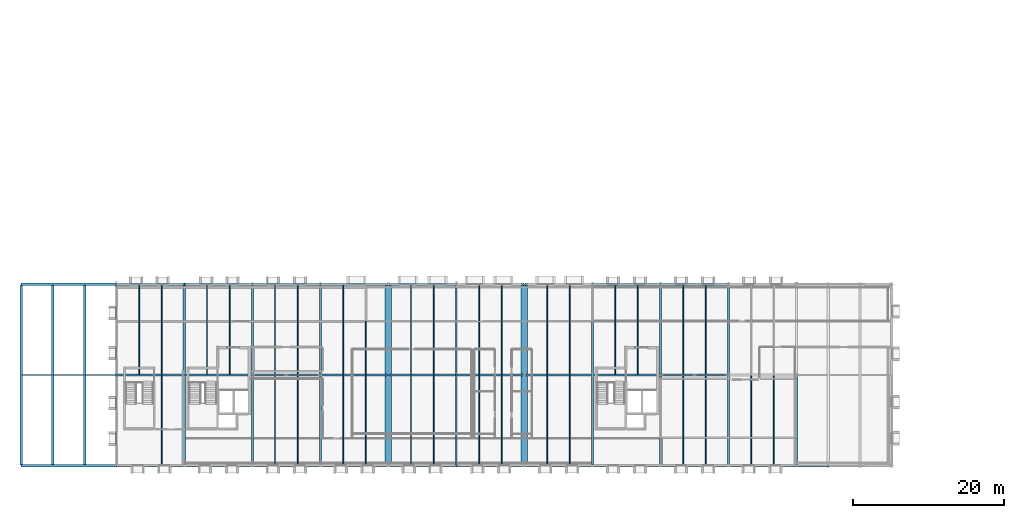
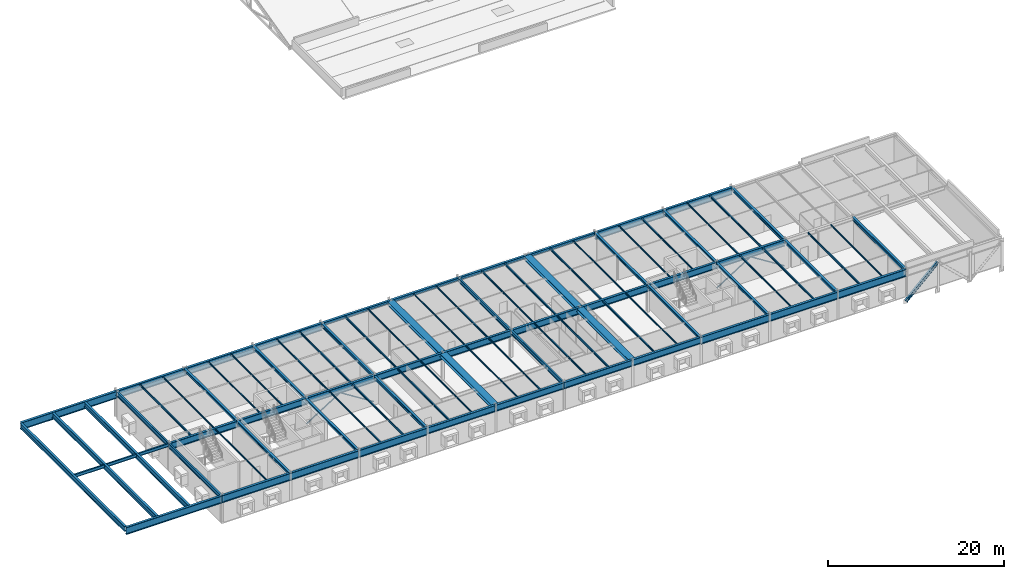
# One storey, part 5 of 36: 90 beams, 5 members.
"""IFC4 building model written with IfcOpenShell, lengths in metres."""

from ifc_helpers import new_model, si_unit, direction, frame, origin, origin_2d, place, context, subcontext, project, spatial, hollow_circle, i_section, extrude, material, material_profile, profile_set, type_object, element, save


model = new_model("IFC4")

# Units and contexts
model_context = context("Model", 3, precision=1e-05, world=origin(), true_north=direction((0.0, 1.0)))
body_context = subcontext(model_context, "Body", "Model", "MODEL_VIEW")
ifc_project = project(units=[si_unit("LENGTHUNIT", "METRE"), si_unit("AREAUNIT", "SQUARE_METRE"), si_unit("VOLUMEUNIT", "CUBIC_METRE"), si_unit("PLANEANGLEUNIT", "RADIAN"), si_unit("MASSUNIT", "GRAM", prefix="KILO")], contexts=[model_context])

# Site, building, storey
site_placement = place(None, origin())
site = spatial("IfcSite", under=ifc_project, at=site_placement, CompositionType="ELEMENT")
building_placement = place(site_placement, origin())
building = spatial("IfcBuilding", under=site, at=building_placement, Name="Montelvaro Courts of Justice", CompositionType="ELEMENT")
storey_placement = place(building_placement, frame((0.0, 0.0, 23.39990234375)))
storey = spatial("IfcBuildingStorey", under=building, at=storey_placement, Name="L05", CompositionType="ELEMENT", Elevation=23.39990234375)

# Beams
ifc_material = material(Name="Steel S355", Category="steel")
ifc_material_profile_1 = material_profile(ifc_material, i_section(OverallWidth=0.300048828125, OverallDepth=0.35009765625, WebThickness=0.010009765625, FlangeThickness=0.017578125, at=origin_2d()), Name="HEA 360")
ifc_profile_set_1 = profile_set([ifc_material_profile_1], Name="Steel S355")
beam_type_1 = type_object("IfcBeamType", Name="Beam_HEA360", PredefinedType="USERDEFINED", material=ifc_profile_set_1)
for number, where, z_axis, x_axis, name in (
    (1, (54.0, 0.0, 3.585205078125), (0.0, 1.0, 0.0), (-1.0, 0.0, 0.0), "Beam B-16 L05"),
    (2, (54.0, 12.0, 3.585205078125), (0.0, 1.0, 0.0), (-1.0, 0.0, 0.0), "Beam B-16 L05"),
    (3, (108.0, 0.0, 3.585205078125), (0.0, 1.0, 0.0), (-1.0, 0.0, 0.0), "Beam B-16 L05"),
    (4, (108.0, 12.0, 3.585205078125), (0.0, 1.0, 0.0), (-1.0, 0.0, 0.0), "Beam B-16 L05"),
):
    element("IfcBeam", number, at=place(storey_placement, frame(where, z_axis=z_axis, x_axis=x_axis)), inside=storey, type_object=beam_type_1, Name=name, ObjectType="GIRDER", PredefinedType="USERDEFINED", context=body_context, shape_type="SweptSolid", body=[
        extrude(i_section(OverallWidth=0.300048828125, OverallDepth=0.35009765625, WebThickness=0.010009765625, FlangeThickness=0.017578125, at=origin_2d()), origin(), (0.0, 0.0, 1.0), 12.0),
    ])
ifc_material_profile_2 = material_profile(ifc_material, i_section(OverallWidth=0.300048828125, OverallDepth=0.389892578125, WebThickness=0.010986328125, FlangeThickness=0.01904296875, at=origin_2d()), Name="HEA 400")
ifc_profile_set_2 = profile_set([ifc_material_profile_2], Name="Steel S355")
beam_type_2 = type_object("IfcBeamType", Name="Beam_HEA400", PredefinedType="USERDEFINED", material=ifc_profile_set_2)
for number, where, z_axis, x_axis, name in (
    (5, (63.0, 0.0, 3.565185546875), (0.0, 1.0, 0.0), (-1.0, 0.0, 0.0), "Beam B-17 L05"),
    (6, (63.0, 12.0, 3.565185546875), (0.0, 1.0, 0.0), (-1.0, 0.0, 0.0), "Beam B-17 L05"),
    (7, (117.0, 0.0, 3.565185546875), (0.0, 1.0, 0.0), (-1.0, 0.0, 0.0), "Beam B-17 L05"),
    (8, (117.0, 12.0, 3.565185546875), (0.0, 1.0, 0.0), (-1.0, 0.0, 0.0), "Beam B-17 L05"),
):
    element("IfcBeam", number, at=place(storey_placement, frame(where, z_axis=z_axis, x_axis=x_axis)), inside=storey, type_object=beam_type_2, Name=name, ObjectType="GIRDER", PredefinedType="USERDEFINED", context=body_context, shape_type="SweptSolid", body=[
        extrude(i_section(OverallWidth=0.300048828125, OverallDepth=0.389892578125, WebThickness=0.010986328125, FlangeThickness=0.01904296875, at=origin_2d()), origin(), (0.0, 0.0, 1.0), 12.0),
    ])
ifc_material_profile_3 = material_profile(ifc_material, i_section(OverallWidth=0.300048828125, OverallDepth=0.43994140625, WebThickness=0.011474609375, FlangeThickness=0.02099609375, at=origin_2d()), Name="HEA 450")
ifc_profile_set_3 = profile_set([ifc_material_profile_3], Name="Steel S355")
beam_type_3 = type_object("IfcBeamType", Name="Beam_HEA450", PredefinedType="USERDEFINED", material=ifc_profile_set_3)
for number, where, z_axis, x_axis, name in (
    (9, (72.0, 24.0, 3.5400390625), (1.0, 0.0, 0.0), (0.0, 1.0, 0.0), "Beam B-18 L05"),
    (10, (81.050048828125, 24.0, 3.5400390625), (1.0, 0.0, 0.0), (0.0, 1.0, 0.0), "Beam B-18 L05"),
    (11, (90.0, 24.0, 3.5400390625), (1.0, 0.0, 0.0), (0.0, 1.0, 0.0), "Beam B-18 L05"),
    (12, (99.050048828125, 24.0, 3.5400390625), (1.0, 0.0, 0.0), (0.0, 1.0, 0.0), "Beam B-18 L05"),
):
    element("IfcBeam", number, at=place(storey_placement, frame(where, z_axis=z_axis, x_axis=x_axis)), inside=storey, type_object=beam_type_3, Name=name, ObjectType="GIRDER", PredefinedType="USERDEFINED", context=body_context, shape_type="SweptSolid", body=[
        extrude(i_section(OverallWidth=0.300048828125, OverallDepth=0.43994140625, WebThickness=0.011474609375, FlangeThickness=0.02099609375, at=origin_2d()), origin(), (0.0, 0.0, 1.0), 8.949951171875),
    ])
for number, where, z_axis, x_axis, name in (
    (13, (72.0, 0.0, 3.5400390625), (0.0, 1.0, 0.0), (-1.0, 0.0, 0.0), "Beam B-18 L05"),
    (14, (72.0, 12.0, 3.5400390625), (0.0, 1.0, 0.0), (-1.0, 0.0, 0.0), "Beam B-18 L05"),
    (15, (126.0, 0.0, 3.5400390625), (0.0, 1.0, 0.0), (-1.0, 0.0, 0.0), "Beam B-18 L05"),
    (16, (126.0, 12.0, 3.5400390625), (0.0, 1.0, 0.0), (-1.0, 0.0, 0.0), "Beam B-18 L05"),
):
    element("IfcBeam", number, at=place(storey_placement, frame(where, z_axis=z_axis, x_axis=x_axis)), inside=storey, type_object=beam_type_3, Name=name, ObjectType="GIRDER", PredefinedType="USERDEFINED", context=body_context, shape_type="SweptSolid", body=[
        extrude(i_section(OverallWidth=0.300048828125, OverallDepth=0.43994140625, WebThickness=0.011474609375, FlangeThickness=0.02099609375, at=origin_2d()), origin(), (0.0, 0.0, 1.0), 12.0),
    ])
ifc_material_profile_4 = material_profile(ifc_material, i_section(OverallWidth=0.300048828125, OverallDepth=0.489990234375, WebThickness=0.011962890625, FlangeThickness=0.02294921875, at=origin_2d()), Name="HEA 500")
ifc_profile_set_4 = profile_set([ifc_material_profile_4], Name="Steel S355")
beam_type_4 = type_object("IfcBeamType", Name="Beam_HEA500", PredefinedType="USERDEFINED", material=ifc_profile_set_4)
beam_1_placement = place(storey_placement, frame((135.0, 0.0, 3.53515625), z_axis=(0.0, 1.0, 0.0), x_axis=(-1.0, 0.0, 0.0)))
element("IfcBeam", 17, at=beam_1_placement, inside=storey, type_object=beam_type_4, Name="Beam B-19 L05", ObjectType="GIRDER", PredefinedType="USERDEFINED", context=body_context, shape_type="SweptSolid", body=[
    extrude(i_section(OverallWidth=0.300048828125, OverallDepth=0.489990234375, WebThickness=0.011962890625, FlangeThickness=0.02294921875, at=origin_2d()), origin(), (0.0, 0.0, 1.0), 12.0),
])
ifc_material_profile_5 = material_profile(ifc_material, i_section(OverallWidth=0.300048828125, OverallDepth=0.699951171875, WebThickness=0.01708984375, FlangeThickness=0.031982421875, at=origin_2d()), Name="HEB 700")
ifc_profile_set_5 = profile_set([ifc_material_profile_5], Name="Steel S355")
beam_type_5 = type_object("IfcBeamType", Name="Beam_HEB700", PredefinedType="USERDEFINED", material=ifc_profile_set_5)
for number, where, z_axis, x_axis, name in (
    (18, (40.800048828125, 0.110107421875, 3.41015625), (0.0, 1.0, 0.0), (-1.0, 0.0, 0.0), "Beam B-28 L05"),
    (19, (36.60009765625, 0.110107421875, 3.41015625), (0.0, 1.0, 0.0), (-1.0, 0.0, 0.0), "Beam B-28 L05"),
    (20, (32.39990234375, 0.110107421875, 3.41015625), (0.0, 1.0, 0.0), (-1.0, 0.0, 0.0), "Beam B-28 L05"),
):
    element("IfcBeam", number, at=place(storey_placement, frame(where, z_axis=z_axis, x_axis=x_axis)), inside=storey, type_object=beam_type_5, Name=name, ObjectType="GIRDER", PredefinedType="USERDEFINED", context=body_context, shape_type="SweptSolid", body=[
        extrude(i_section(OverallWidth=0.300048828125, OverallDepth=0.699951171875, WebThickness=0.01708984375, FlangeThickness=0.031982421875, at=origin_2d()), origin(), (0.0, 0.0, 1.0), 23.77978515625),
    ])
ifc_material_profile_6 = material_profile(ifc_material, i_section(OverallWidth=0.300048828125, OverallDepth=0.89990234375, WebThickness=0.0185546875, FlangeThickness=0.034912109375, at=origin_2d()), Name="HEB 900")
ifc_profile_set_6 = profile_set([ifc_material_profile_6], Name="Steel S355")
beam_type_6 = type_object("IfcBeamType", Name="Beam_HEB900", PredefinedType="USERDEFINED", material=ifc_profile_set_6)
for number, where, z_axis, x_axis, name in (
    (21, (72.0, 0.0, 3.31005859375), (1.0, 0.0, 0.0), (0.0, 1.0, 0.0), "Beam B-30 L05"),
    (22, (81.050048828125, 0.0, 3.31005859375), (1.0, 0.0, 0.0), (0.0, 1.0, 0.0), "Beam B-30 L05"),
    (23, (90.0, 0.0, 3.31005859375), (1.0, 0.0, 0.0), (0.0, 1.0, 0.0), "Beam B-30 L05"),
    (24, (99.050048828125, 0.0, 3.31005859375), (1.0, 0.0, 0.0), (0.0, 1.0, 0.0), "Beam B-30 L05"),
):
    element("IfcBeam", number, at=place(storey_placement, frame(where, z_axis=z_axis, x_axis=x_axis)), inside=storey, type_object=beam_type_6, Name=name, ObjectType="GIRDER", PredefinedType="USERDEFINED", context=body_context, shape_type="SweptSolid", body=[
        extrude(i_section(OverallWidth=0.300048828125, OverallDepth=0.89990234375, WebThickness=0.0185546875, FlangeThickness=0.034912109375, at=origin_2d()), origin(), (0.0, 0.0, 1.0), 8.949951171875),
    ])
ifc_material_profile_7 = material_profile(ifc_material, i_section(OverallWidth=0.302001953125, OverallDepth=1.008056640625, WebThickness=0.02099609375, FlangeThickness=0.0400390625, at=origin_2d()), Name="HEM 1000")
ifc_profile_set_7 = profile_set([ifc_material_profile_7], Name="Steel S355")
beam_type_7 = type_object("IfcBeamType", Name="Beam_HEM1000", PredefinedType="USERDEFINED", material=ifc_profile_set_7)
for number, where, z_axis, x_axis, name in (
    (25, (108.0, 0.0, 3.256103515625), (1.0, 0.0, 0.0), (0.0, 1.0, 0.0), "Pratt Cantilever Truss Chord CTR-BAR2-S-L06-BS1"),
    (26, (117.0, 0.0, 3.256103515625), (1.0, 0.0, 0.0), (0.0, 1.0, 0.0), "Pratt Cantilever Truss Chord CTR-BAR2-S-L06-BS2"),
    (27, (126.0, 0.0, 3.256103515625), (1.0, 0.0, 0.0), (0.0, 1.0, 0.0), "Pratt Cantilever Truss Chord CTR-BAR2-S-L06-BS3"),
    (28, (108.0, 24.0, 3.256103515625), (1.0, 0.0, 0.0), (0.0, 1.0, 0.0), "Pratt Cantilever Truss Chord CTR-BAR2-N-L06-BS1"),
    (29, (117.0, 24.0, 3.256103515625), (1.0, 0.0, 0.0), (0.0, 1.0, 0.0), "Pratt Cantilever Truss Chord CTR-BAR2-N-L06-BS2"),
    (30, (72.0, 0.0, 3.256103515625), (-1.0, 0.0, 0.0), (0.0, -1.0, 0.0), "Pratt Cantilever Truss Chord CTR-BAR3-S-L06-BS1"),
    (31, (63.0, 0.0, 3.256103515625), (-1.0, 0.0, 0.0), (0.0, -1.0, 0.0), "Pratt Cantilever Truss Chord CTR-BAR3-S-L06-BS2"),
    (32, (54.0, 0.0, 3.256103515625), (-1.0, 0.0, 0.0), (0.0, -1.0, 0.0), "Pratt Cantilever Truss Chord CTR-BAR3-S-L06-BS3"),
):
    element("IfcBeam", number, at=place(storey_placement, frame(where, z_axis=z_axis, x_axis=x_axis)), inside=storey, type_object=beam_type_7, Name=name, ObjectType="GIRDER", PredefinedType="USERDEFINED", context=body_context, shape_type="SweptSolid", body=[
        extrude(i_section(OverallWidth=0.302001953125, OverallDepth=1.008056640625, WebThickness=0.02099609375, FlangeThickness=0.0400390625, at=origin_2d()), origin(), (0.0, 0.0, 1.0), 9.0),
    ])
beam_2_placement = place(storey_placement, frame((45.0, 0.0, 3.256103515625), z_axis=(-1.0, 0.0, 0.0), x_axis=(0.0, -1.0, 0.0)))
element("IfcBeam", 33, at=beam_2_placement, inside=storey, type_object=beam_type_7, Name="Pratt Cantilever Truss Chord CTR-BAR3-S-L06-OVH", ObjectType="GIRDER", PredefinedType="USERDEFINED", context=body_context, shape_type="SweptSolid", body=[
    extrude(i_section(OverallWidth=0.302001953125, OverallDepth=1.008056640625, WebThickness=0.02099609375, FlangeThickness=0.0400390625, at=origin_2d()), origin(), (0.0, 0.0, 1.0), 12.60009765625),
])
for number, where, z_axis, x_axis, name in (
    (34, (72.0, 24.0, 3.256103515625), (-1.0, 0.0, 0.0), (0.0, -1.0, 0.0), "Pratt Cantilever Truss Chord CTR-BAR3-N-L06-BS1"),
    (35, (63.0, 24.0, 3.256103515625), (-1.0, 0.0, 0.0), (0.0, -1.0, 0.0), "Pratt Cantilever Truss Chord CTR-BAR3-N-L06-BS2"),
    (36, (54.0, 24.0, 3.256103515625), (-1.0, 0.0, 0.0), (0.0, -1.0, 0.0), "Pratt Cantilever Truss Chord CTR-BAR3-N-L06-BS3"),
):
    element("IfcBeam", number, at=place(storey_placement, frame(where, z_axis=z_axis, x_axis=x_axis)), inside=storey, type_object=beam_type_7, Name=name, ObjectType="GIRDER", PredefinedType="USERDEFINED", context=body_context, shape_type="SweptSolid", body=[
        extrude(i_section(OverallWidth=0.302001953125, OverallDepth=1.008056640625, WebThickness=0.02099609375, FlangeThickness=0.0400390625, at=origin_2d()), origin(), (0.0, 0.0, 1.0), 9.0),
    ])
beam_3_placement = place(storey_placement, frame((45.0, 24.0, 3.256103515625), z_axis=(-1.0, 0.0, 0.0), x_axis=(0.0, -1.0, 0.0)))
element("IfcBeam", 37, at=beam_3_placement, inside=storey, type_object=beam_type_7, Name="Pratt Cantilever Truss Chord CTR-BAR3-N-L06-OVH", ObjectType="GIRDER", PredefinedType="USERDEFINED", context=body_context, shape_type="SweptSolid", body=[
    extrude(i_section(OverallWidth=0.302001953125, OverallDepth=1.008056640625, WebThickness=0.02099609375, FlangeThickness=0.0400390625, at=origin_2d()), origin(), (0.0, 0.0, 1.0), 12.60009765625),
])
ifc_material_profile_8 = material_profile(ifc_material, i_section(OverallWidth=0.302001953125, OverallDepth=0.909912109375, WebThickness=0.02099609375, FlangeThickness=0.0400390625, at=origin_2d()), Name="HEM 900")
ifc_profile_set_8 = profile_set([ifc_material_profile_8], Name="Steel S355")
beam_type_8 = type_object("IfcBeamType", Name="Beam_HEM900", PredefinedType="USERDEFINED", material=ifc_profile_set_8)
for number, where, z_axis, x_axis, name in (
    (38, (45.0, 12.0, 3.30517578125), (1.0, 0.0, 0.0), (0.0, 1.0, 0.0), "Beam B-31 L05"),
    (39, (54.0, 12.0, 3.30517578125), (1.0, 0.0, 0.0), (0.0, 1.0, 0.0), "Beam B-31 L05"),
    (40, (63.0, 12.0, 3.30517578125), (1.0, 0.0, 0.0), (0.0, 1.0, 0.0), "Beam B-31 L05"),
):
    element("IfcBeam", number, at=place(storey_placement, frame(where, z_axis=z_axis, x_axis=x_axis)), inside=storey, type_object=beam_type_8, Name=name, ObjectType="GIRDER", PredefinedType="USERDEFINED", context=body_context, shape_type="SweptSolid", body=[
        extrude(i_section(OverallWidth=0.302001953125, OverallDepth=0.909912109375, WebThickness=0.02099609375, FlangeThickness=0.0400390625, at=origin_2d()), origin(), (0.0, 0.0, 1.0), 9.0),
    ])
for number, where, z_axis, x_axis, name in (
    (41, (72.0, 12.0, 3.30517578125), (1.0, 0.0, 0.0), (0.0, 1.0, 0.0), "Beam B-31 L05"),
    (42, (81.050048828125, 12.0, 3.30517578125), (1.0, 0.0, 0.0), (0.0, 1.0, 0.0), "Beam B-31 L05"),
    (43, (90.0, 12.0, 3.30517578125), (1.0, 0.0, 0.0), (0.0, 1.0, 0.0), "Beam B-31 L05"),
    (44, (99.050048828125, 12.0, 3.30517578125), (1.0, 0.0, 0.0), (0.0, 1.0, 0.0), "Beam B-31 L05"),
):
    element("IfcBeam", number, at=place(storey_placement, frame(where, z_axis=z_axis, x_axis=x_axis)), inside=storey, type_object=beam_type_8, Name=name, ObjectType="GIRDER", PredefinedType="USERDEFINED", context=body_context, shape_type="SweptSolid", body=[
        extrude(i_section(OverallWidth=0.302001953125, OverallDepth=0.909912109375, WebThickness=0.02099609375, FlangeThickness=0.0400390625, at=origin_2d()), origin(), (0.0, 0.0, 1.0), 8.949951171875),
    ])
for number, where, z_axis, x_axis, name in (
    (45, (108.0, 12.0, 3.30517578125), (1.0, 0.0, 0.0), (0.0, 1.0, 0.0), "Beam B-31 L05"),
    (46, (117.0, 12.0, 3.30517578125), (1.0, 0.0, 0.0), (0.0, 1.0, 0.0), "Beam B-31 L05"),
):
    element("IfcBeam", number, at=place(storey_placement, frame(where, z_axis=z_axis, x_axis=x_axis)), inside=storey, type_object=beam_type_8, Name=name, ObjectType="GIRDER", PredefinedType="USERDEFINED", context=body_context, shape_type="SweptSolid", body=[
        extrude(i_section(OverallWidth=0.302001953125, OverallDepth=0.909912109375, WebThickness=0.02099609375, FlangeThickness=0.0400390625, at=origin_2d()), origin(), (0.0, 0.0, 1.0), 9.0),
    ])
ifc_material_profile_9 = material_profile(ifc_material, i_section(OverallWidth=0.10009765625, OverallDepth=0.199951171875, WebThickness=0.005615234375, FlangeThickness=0.008544921875, at=origin_2d()), Name="IPE 200")
ifc_profile_set_9 = profile_set([ifc_material_profile_9], Name="Steel S355")
beam_type_9 = type_object("IfcBeamType", Name="Beam_IPE200", PredefinedType="JOIST", material=ifc_profile_set_9)
for number, where, z_axis, x_axis, name in (
    (47, (51.0, 0.110107421875, 3.66015625), (0.0, 1.0, 0.0), (-1.0, 0.0, 0.0), "Beam B-01 L05"),
    (48, (51.0, 12.110107421875, 3.66015625), (0.0, 1.0, 0.0), (-1.0, 0.0, 0.0), "Beam B-01 L05"),
    (49, (57.0, 12.110107421875, 3.66015625), (0.0, 1.0, 0.0), (-1.0, 0.0, 0.0), "Beam B-01 L05"),
    (50, (78.0, 0.110107421875, 3.66015625), (0.0, 1.0, 0.0), (-1.0, 0.0, 0.0), "Beam B-01 L05"),
    (51, (78.0, 12.110107421875, 3.66015625), (0.0, 1.0, 0.0), (-1.0, 0.0, 0.0), "Beam B-01 L05"),
    (52, (84.0, 0.110107421875, 3.66015625), (0.0, 1.0, 0.0), (-1.0, 0.0, 0.0), "Beam B-01 L05"),
    (53, (84.0, 12.110107421875, 3.66015625), (0.0, 1.0, 0.0), (-1.0, 0.0, 0.0), "Beam B-01 L05"),
    (54, (105.0, 0.110107421875, 3.66015625), (0.0, 1.0, 0.0), (-1.0, 0.0, 0.0), "Beam B-01 L05"),
    (55, (105.0, 12.110107421875, 3.66015625), (0.0, 1.0, 0.0), (-1.0, 0.0, 0.0), "Beam B-01 L05"),
    (56, (111.0, 12.110107421875, 3.66015625), (0.0, 1.0, 0.0), (-1.0, 0.0, 0.0), "Beam B-01 L05"),
    (57, (132.0, 0.110107421875, 3.68017578125), (0.0, 1.0, 0.0), (-1.0, 0.0, 0.0), "Beam B-01 L05"),
):
    element("IfcBeam", number, at=place(storey_placement, frame(where, z_axis=z_axis, x_axis=x_axis)), inside=storey, type_object=beam_type_9, Name=name, PredefinedType="JOIST", context=body_context, shape_type="SweptSolid", body=[
        extrude(i_section(OverallWidth=0.10009765625, OverallDepth=0.199951171875, WebThickness=0.005615234375, FlangeThickness=0.008544921875, at=origin_2d()), origin(), (0.0, 0.0, 1.0), 11.77978515625),
    ])
ifc_material_profile_10 = material_profile(ifc_material, i_section(OverallWidth=0.110107421875, OverallDepth=0.219970703125, WebThickness=0.005859375, FlangeThickness=0.00927734375, at=origin_2d()), Name="IPE 220")
ifc_profile_set_10 = profile_set([ifc_material_profile_10], Name="Steel S355")
beam_type_10 = type_object("IfcBeamType", Name="Beam_IPE220", PredefinedType="JOIST", material=ifc_profile_set_10)
for number, where, z_axis, x_axis, name in (
    (58, (60.0, 12.110107421875, 3.650146484375), (0.0, 1.0, 0.0), (-1.0, 0.0, 0.0), "Beam B-02 L05"),
    (59, (66.0, 0.110107421875, 3.650146484375), (0.0, 1.0, 0.0), (-1.0, 0.0, 0.0), "Beam B-02 L05"),
    (60, (66.0, 12.110107421875, 3.650146484375), (0.0, 1.0, 0.0), (-1.0, 0.0, 0.0), "Beam B-02 L05"),
    (61, (87.0, 0.110107421875, 3.650146484375), (0.0, 1.0, 0.0), (-1.0, 0.0, 0.0), "Beam B-02 L05"),
    (62, (87.0, 12.110107421875, 3.650146484375), (0.0, 1.0, 0.0), (-1.0, 0.0, 0.0), "Beam B-02 L05"),
    (63, (93.0, 0.110107421875, 3.650146484375), (0.0, 1.0, 0.0), (-1.0, 0.0, 0.0), "Beam B-02 L05"),
    (64, (93.0, 12.110107421875, 3.650146484375), (0.0, 1.0, 0.0), (-1.0, 0.0, 0.0), "Beam B-02 L05"),
    (65, (114.0, 12.110107421875, 3.650146484375), (0.0, 1.0, 0.0), (-1.0, 0.0, 0.0), "Beam B-02 L05"),
    (66, (120.0, 0.110107421875, 3.650146484375), (0.0, 1.0, 0.0), (-1.0, 0.0, 0.0), "Beam B-02 L05"),
    (67, (120.0, 12.110107421875, 3.650146484375), (0.0, 1.0, 0.0), (-1.0, 0.0, 0.0), "Beam B-02 L05"),
):
    element("IfcBeam", number, at=place(storey_placement, frame(where, z_axis=z_axis, x_axis=x_axis)), inside=storey, type_object=beam_type_10, Name=name, PredefinedType="JOIST", context=body_context, shape_type="SweptSolid", body=[
        extrude(i_section(OverallWidth=0.110107421875, OverallDepth=0.219970703125, WebThickness=0.005859375, FlangeThickness=0.00927734375, at=origin_2d()), origin(), (0.0, 0.0, 1.0), 11.77978515625),
    ])
ifc_material_profile_11 = material_profile(ifc_material, i_section(OverallWidth=0.135009765625, OverallDepth=0.27001953125, WebThickness=0.006591796875, FlangeThickness=0.01025390625, at=origin_2d()), Name="IPE 270")
ifc_profile_set_11 = profile_set([ifc_material_profile_11], Name="Steel S355")
beam_type_11 = type_object("IfcBeamType", Name="Beam_IPE270", PredefinedType="JOIST", material=ifc_profile_set_11)
for number, where, z_axis, x_axis, name in (
    (68, (48.0, 12.110107421875, 3.625), (0.0, 1.0, 0.0), (-1.0, 0.0, 0.0), "Beam B-04 L05"),
    (69, (69.0, 0.110107421875, 3.625), (0.0, 1.0, 0.0), (-1.0, 0.0, 0.0), "Beam B-04 L05"),
    (70, (69.0, 12.110107421875, 3.625), (0.0, 1.0, 0.0), (-1.0, 0.0, 0.0), "Beam B-04 L05"),
    (71, (75.0, 0.110107421875, 3.625), (0.0, 1.0, 0.0), (-1.0, 0.0, 0.0), "Beam B-04 L05"),
    (72, (75.0, 12.110107421875, 3.625), (0.0, 1.0, 0.0), (-1.0, 0.0, 0.0), "Beam B-04 L05"),
    (73, (96.0, 0.110107421875, 3.625), (0.0, 1.0, 0.0), (-1.0, 0.0, 0.0), "Beam B-04 L05"),
    (74, (96.0, 12.110107421875, 3.625), (0.0, 1.0, 0.0), (-1.0, 0.0, 0.0), "Beam B-04 L05"),
    (75, (102.0, 0.110107421875, 3.625), (0.0, 1.0, 0.0), (-1.0, 0.0, 0.0), "Beam B-04 L05"),
    (76, (102.0, 12.110107421875, 3.625), (0.0, 1.0, 0.0), (-1.0, 0.0, 0.0), "Beam B-04 L05"),
    (77, (123.0, 0.110107421875, 3.625), (0.0, 1.0, 0.0), (-1.0, 0.0, 0.0), "Beam B-04 L05"),
    (78, (123.0, 12.110107421875, 3.625), (0.0, 1.0, 0.0), (-1.0, 0.0, 0.0), "Beam B-04 L05"),
    (79, (129.0, 0.110107421875, 3.64501953125), (0.0, 1.0, 0.0), (-1.0, 0.0, 0.0), "Beam B-04 L05"),
):
    element("IfcBeam", number, at=place(storey_placement, frame(where, z_axis=z_axis, x_axis=x_axis)), inside=storey, type_object=beam_type_11, Name=name, PredefinedType="JOIST", context=body_context, shape_type="SweptSolid", body=[
        extrude(i_section(OverallWidth=0.135009765625, OverallDepth=0.27001953125, WebThickness=0.006591796875, FlangeThickness=0.01025390625, at=origin_2d()), origin(), (0.0, 0.0, 1.0), 11.77978515625),
    ])
ifc_material_profile_12 = material_profile(ifc_material, i_section(OverallWidth=0.18994140625, OverallDepth=0.449951171875, WebThickness=0.009521484375, FlangeThickness=0.0146484375, at=origin_2d()), Name="IPE 450")
ifc_profile_set_12 = profile_set([ifc_material_profile_12], Name="Steel S355")
beam_type_12 = type_object("IfcBeamType", Name="Beam_IPE450", PredefinedType="BEAM", material=ifc_profile_set_12)
for number, where, z_axis, x_axis, name in (
    (80, (40.909912109375, 12.0, 3.53515625), (1.0, 0.0, 0.0), (0.0, 1.0, 0.0), "Beam B-09 L05"),
    (81, (36.7099609375, 12.0, 3.53515625), (1.0, 0.0, 0.0), (0.0, 1.0, 0.0), "Beam B-09 L05"),
    (82, (32.510009765625, 12.0, 3.53515625), (1.0, 0.0, 0.0), (0.0, 1.0, 0.0), "Beam B-09 L05"),
):
    element("IfcBeam", number, at=place(storey_placement, frame(where, z_axis=z_axis, x_axis=x_axis)), inside=storey, type_object=beam_type_12, Name=name, PredefinedType="BEAM", context=body_context, shape_type="SweptSolid", body=[
        extrude(i_section(OverallWidth=0.18994140625, OverallDepth=0.449951171875, WebThickness=0.009521484375, FlangeThickness=0.0146484375, at=origin_2d()), origin(), (0.0, 0.0, 1.0), 3.97998046875),
    ])
ifc_material_profile_13 = material_profile(ifc_material, i_section(OverallWidth=0.2099609375, OverallDepth=0.550048828125, WebThickness=0.010986328125, FlangeThickness=0.01708984375, at=origin_2d()), Name="IPE 550")
ifc_profile_set_13 = profile_set([ifc_material_profile_13], Name="Steel S355")
beam_type_13 = type_object("IfcBeamType", Name="Beam_IPE550", PredefinedType="BEAM", material=ifc_profile_set_13)
for number, where, z_axis, x_axis, name in (
    (83, (90.0, 0.0, 3.485107421875), (0.0, 1.0, 0.0), (-1.0, 0.0, 0.0), "Beam B-11 L05"),
    (84, (90.0, 12.0, 3.485107421875), (0.0, 1.0, 0.0), (-1.0, 0.0, 0.0), "Beam B-11 L05"),
):
    element("IfcBeam", number, at=place(storey_placement, frame(where, z_axis=z_axis, x_axis=x_axis)), inside=storey, type_object=beam_type_13, Name=name, PredefinedType="BEAM", context=body_context, shape_type="SweptSolid", body=[
        extrude(i_section(OverallWidth=0.2099609375, OverallDepth=0.550048828125, WebThickness=0.010986328125, FlangeThickness=0.01708984375, at=origin_2d()), origin(), (0.0, 0.0, 1.0), 12.0),
    ])
ifc_material_profile_14 = material_profile(ifc_material, i_section(OverallWidth=0.219970703125, OverallDepth=0.60009765625, WebThickness=0.011962890625, FlangeThickness=0.01904296875, at=origin_2d()), Name="IPE 600")
ifc_profile_set_14 = profile_set([ifc_material_profile_14], Name="Steel S355")
beam_type_14 = type_object("IfcBeamType", Name="Beam_IPE600", PredefinedType="USERDEFINED", material=ifc_profile_set_14)
for number, where, z_axis, x_axis, name in (
    (85, (45.0, 0.0, 3.460205078125), (0.0, 1.0, 0.0), (-1.0, 0.0, 0.0), "Beam B-12 L05"),
    (86, (45.0, 12.0, 3.460205078125), (0.0, 1.0, 0.0), (-1.0, 0.0, 0.0), "Beam B-12 L05"),
):
    element("IfcBeam", number, at=place(storey_placement, frame(where, z_axis=z_axis, x_axis=x_axis)), inside=storey, type_object=beam_type_14, Name=name, ObjectType="GIRDER", PredefinedType="USERDEFINED", context=body_context, shape_type="SweptSolid", body=[
        extrude(i_section(OverallWidth=0.219970703125, OverallDepth=0.60009765625, WebThickness=0.011962890625, FlangeThickness=0.01904296875, at=origin_2d()), origin(), (0.0, 0.0, 1.0), 12.0),
    ])
ifc_material_profile_15 = material_profile(ifc_material, i_section(OverallWidth=0.860107421875, OverallDepth=0.47998046875, WebThickness=0.02001953125, FlangeThickness=0.031982421875, at=origin_2d()), Name="HL 480x860")
ifc_profile_set_15 = profile_set([ifc_material_profile_15], Name="Steel S355")
beam_type_15 = type_object("IfcBeamType", Name="Beam_MJSeat_860", PredefinedType="USERDEFINED", material=ifc_profile_set_15)
for number, where, z_axis, x_axis, name in (
    (87, (81.0, 0.0, 3.52001953125), (0.0, 1.0, 0.0), (-1.0, 0.0, 0.0), "Beam BC-01 L05"),
    (88, (81.0, 12.0, 3.52001953125), (0.0, 1.0, 0.0), (-1.0, 0.0, 0.0), "Beam BC-01 L05"),
    (89, (99.0, 0.0, 3.52001953125), (0.0, 1.0, 0.0), (-1.0, 0.0, 0.0), "Beam BC-01 L05"),
    (90, (99.0, 12.0, 3.52001953125), (0.0, 1.0, 0.0), (-1.0, 0.0, 0.0), "Beam BC-01 L05"),
):
    element("IfcBeam", number, at=place(storey_placement, frame(where, z_axis=z_axis, x_axis=x_axis)), inside=storey, type_object=beam_type_15, Name=name, ObjectType="GIRDER", PredefinedType="USERDEFINED", context=body_context, shape_type="SweptSolid", body=[
        extrude(i_section(OverallWidth=0.860107421875, OverallDepth=0.47998046875, WebThickness=0.02001953125, FlangeThickness=0.031982421875, at=origin_2d()), origin(), (0.0, 0.0, 1.0), 12.0),
    ])

# Members
ifc_material_profile_16 = material_profile(ifc_material, hollow_circle(Radius=0.084228515625, WallThickness=0.008056640625, at=origin_2d()), Name="CHS 168.3x8")
ifc_profile_set_16 = profile_set([ifc_material_profile_16], Name="Steel S355")
member_type_1 = type_object("IfcMemberType", Name="Mem_CHS168_Brace", PredefinedType="BRACE", material=ifc_profile_set_16)
for number, where, z_axis, x_axis, name in (
    (91, (63.080078125, 12.0, 0.080078125), (0.845617628487, 0.0, 0.53378912165), (0.0, 1.0, 0.0), "Lateral Braced Frame CBF1 Diagonal 1 (L05)"),
    (92, (71.919921875, 12.0, 0.080078125), (-0.845617628487, 0.0, 0.53378912165), (0.0, -1.0, 0.0), "Lateral Braced Frame CBF1 Diagonal 2 (L05)"),
    (93, (117.080078125, 12.0, 0.080078125), (0.845617628487, 0.0, 0.53378912165), (0.0, 1.0, 0.0), "Lateral Braced Frame CBF2 Diagonal 1 (L05)"),
    (94, (125.919921875, 12.0, 0.080078125), (-0.845617628487, 0.0, 0.53378912165), (0.0, -1.0, 0.0), "Lateral Braced Frame CBF2 Diagonal 2 (L05)"),
):
    element("IfcMember", number, at=place(storey_placement, frame(where, z_axis=z_axis, x_axis=x_axis)), inside=storey, type_object=member_type_1, Name=name, PredefinedType="BRACE", context=body_context, shape_type="SweptSolid", body=[
        extrude(hollow_circle(Radius=0.084228515625, WallThickness=0.008056640625, at=origin_2d()), origin(), (0.0, 0.0, 1.0), 5.226806640625),
    ])
ifc_material_profile_17 = material_profile(ifc_material, i_section(OverallWidth=0.300048828125, OverallDepth=0.360107421875, WebThickness=0.012451171875, FlangeThickness=0.0224609375, at=origin_2d()), Name="HEB 360")
ifc_profile_set_17 = profile_set([ifc_material_profile_17], Name="Steel S355")
member_type_2 = type_object("IfcMemberType", Name="Mem_HEB360_Brace", PredefinedType="BRACE", material=ifc_profile_set_17)
member_placement = place(storey_placement, frame((135.0, 0.0, -0.743896484375), z_axis=(0.724133926887, 0.0, 0.689659376744), x_axis=(0.0, 1.0, 0.0)))
element("IfcMember", 95, at=member_placement, inside=storey, type_object=member_type_2, Name="Pratt Cantilever Truss Diagonal MB-01 CTR-BAR2-S-L05-D4", PredefinedType="BRACE", context=body_context, shape_type="SweptSolid", body=[
    extrude(i_section(OverallWidth=0.300048828125, OverallDepth=0.360107421875, WebThickness=0.012451171875, FlangeThickness=0.0224609375, at=origin_2d()), origin(), (0.0, 0.0, 1.0), 5.800048828125),
])

save(model, "model.ifc")
